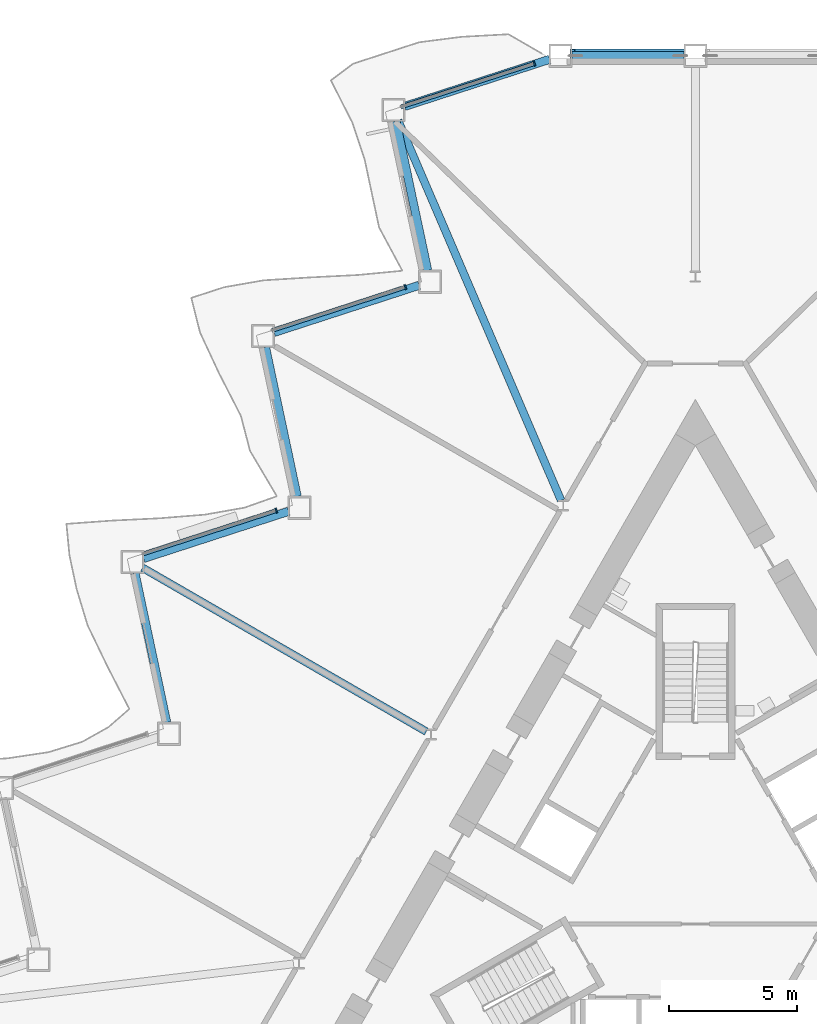
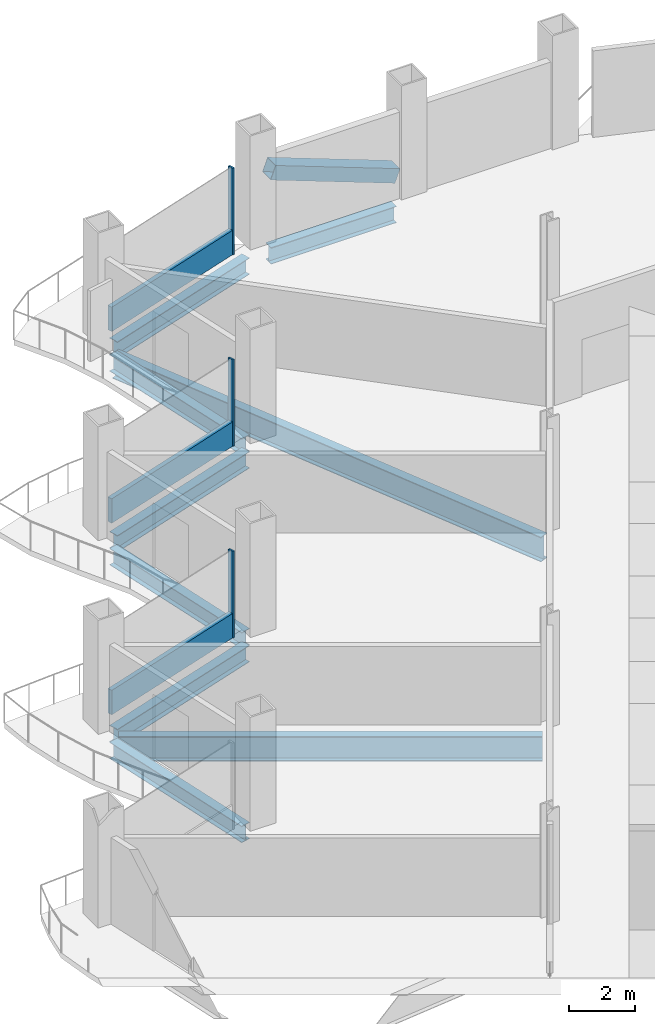
# One storey, part 7 of 21: 9 beams, 7 members, 3 elements without a shape of their own.
"""IFC4 building model written with IfcOpenShell, lengths in metres."""

from ifc_helpers import new_model, si_unit, direction, frame, origin, origin_2d, place, context, subcontext, project, spatial, rectangle, hollow_rectangle, i_section, extrude, material, layer, layer_set, material_profile, profile_set, type_object, element, aggregate, save


model = new_model("IFC4")

# Units and contexts
model_context = context("Model", 3, precision=1e-05, world=origin(), true_north=direction((0.0, 1.0)))
body_context = subcontext(model_context, "Body", "Model", "MODEL_VIEW")
ifc_project = project(units=[si_unit("LENGTHUNIT", "METRE"), si_unit("AREAUNIT", "SQUARE_METRE"), si_unit("VOLUMEUNIT", "CUBIC_METRE"), si_unit("PLANEANGLEUNIT", "RADIAN"), si_unit("MASSUNIT", "GRAM", prefix="KILO")], contexts=[model_context])

# Site, building, storey
site_placement = place(None, origin())
site = spatial("IfcSite", under=ifc_project, at=site_placement, CompositionType="ELEMENT")
building_placement = place(site_placement, origin())
building = spatial("IfcBuilding", under=site, at=building_placement, Name="Cormorant Prow Tower", CompositionType="ELEMENT")
storey_placement = place(building_placement, frame((0.0, 0.0, 124.800048828125)))
storey = spatial("IfcBuildingStorey", under=building, at=storey_placement, Name="L26", CompositionType="ELEMENT", Elevation=124.800048828125)

# Member
ifc_material_1 = material(Name="Structural steel ASTM A500 Gr C", Category="steel")
ifc_material_profile_1 = material_profile(ifc_material_1, hollow_rectangle(XDim=0.508056640625, YDim=0.508056640625, WallThickness=0.014892578125, at=origin_2d()), Name="HSS20x20x5/8")
ifc_profile_set_1 = profile_set([ifc_material_profile_1], Name="Structural steel ASTM A500 Gr C")
member_type_1 = type_object("IfcMemberType", Name="Chamfer brace HSS20x20x5/8", PredefinedType="BRACE", material=ifc_profile_set_1)
member_1_placement = place(storey_placement, frame((-0.4677734375, 32.487060546875, 0.776611328125), z_axis=(-0.935582009332, 0.0, 0.353109478511), x_axis=(0.0, -1.0, 0.0)))
element("IfcMember", 1, at=member_1_placement, inside=storey, type_object=member_type_1, Name="Chamfer brace BR1 at N01 L26", PredefinedType="BRACE", context=body_context, shape_type="SweptSolid", body=[
    extrude(hollow_rectangle(XDim=0.508056640625, YDim=0.508056640625, WallThickness=0.014892578125, at=origin_2d()), origin(), (0.0, 0.0, 1.0), 4.63232421875),
])

# Curtain wall, member
ifc_material_2 = material(Name="Aluminium 6063-T6", Category="aluminium")
ifc_layer = layer(ifc_material_2, 0.199951171875)
ifc_layer_set = layer_set([ifc_layer], Name="Aluminium 6063-T6")
curtain_wall_type = type_object("IfcCurtainWallType", Name="Office unitised curtain wall 200", PredefinedType="NOTDEFINED", material=ifc_layer_set)
curtain_wall_1_placement = place(storey_placement, origin())
curtain_wall_1 = element("IfcCurtainWall", 2, at=curtain_wall_1_placement, inside=storey, type_object=curtain_wall_type, Name="Office curtain wall WNW00", PredefinedType="NOTDEFINED")
ifc_material_3 = material(Name="Aluminium 6063-T6", Category="aluminium")
ifc_material_profile_2 = material_profile(ifc_material_3, rectangle(XDim=0.199951171875, YDim=0.06005859375, at=origin_2d()), Name="Office mullion 60x200")
ifc_profile_set_2 = profile_set([ifc_material_profile_2], Name="Aluminium 6063-T6")
member_type_2 = type_object("IfcMemberType", Name="Office mullion 60x200", PredefinedType="MULLION", material=ifc_profile_set_2)
member_2_placement = place(storey_placement, frame((-6.29443359375, 32.1806640625, 0.0), z_axis=(0.0, 0.0, 1.0), x_axis=(0.309016896042, -0.951056548245, 0.0)))
member_2 = element("IfcMember", 3, at=member_2_placement, type_object=member_type_2, Name="Office mullion WNW00", PredefinedType="MULLION", context=body_context, shape_type="SweptSolid", body=[
    extrude(rectangle(XDim=0.199951171875, YDim=0.06005859375, at=origin_2d()), origin(), (0.0, 0.0, 1.0), 3.18896484375),
])

curtain_wall_2_placement = place(storey_placement, origin())
curtain_wall_2 = element("IfcCurtainWall", 4, at=curtain_wall_2_placement, inside=storey, type_object=curtain_wall_type, Name="Office curtain wall WNW02", PredefinedType="NOTDEFINED")
member_3_placement = place(storey_placement, frame((-11.337890625, 23.4453125, 0.0), z_axis=(0.0, 0.0, 1.0), x_axis=(0.309016939332, -0.95105653418, 0.0)))
member_3 = element("IfcMember", 5, at=member_3_placement, type_object=member_type_2, Name="Office mullion WNW02", PredefinedType="MULLION", context=body_context, shape_type="SweptSolid", body=[
    extrude(rectangle(XDim=0.199951171875, YDim=0.06005859375, at=origin_2d()), origin(), (0.0, 0.0, 1.0), 3.18896484375),
])

curtain_wall_3_placement = place(storey_placement, origin())
curtain_wall_3 = element("IfcCurtainWall", 6, at=curtain_wall_3_placement, inside=storey, type_object=curtain_wall_type, Name="Office curtain wall WNW04", PredefinedType="NOTDEFINED")
member_4_placement = place(storey_placement, frame((-16.38134765625, 14.7099609375, 0.0), z_axis=(0.0, 0.0, 1.0), x_axis=(0.309016939332, -0.95105653418, 0.0)))
member_4 = element("IfcMember", 7, at=member_4_placement, type_object=member_type_2, Name="Office mullion WNW04", PredefinedType="MULLION", context=body_context, shape_type="SweptSolid", body=[
    extrude(rectangle(XDim=0.199951171875, YDim=0.06005859375, at=origin_2d()), origin(), (0.0, 0.0, 1.0), 3.18896484375),
])

# Member
ifc_material_4 = material(Name="Terracotta", Category="masonry")
ifc_material_profile_3 = material_profile(ifc_material_4, rectangle(XDim=0.159912109375, YDim=0.89990234375, at=origin_2d()), Name="Office terracotta spandrel rail 160x900")
ifc_profile_set_3 = profile_set([ifc_material_profile_3], Name="Terracotta")
member_type_3 = type_object("IfcMemberType", Name="Office terracotta spandrel rail 160x900", PredefinedType="USERDEFINED", material=ifc_profile_set_3)
member_5_placement = place(storey_placement, frame((-6.322998046875, 32.17138671875, 0.449951171875), z_axis=(-0.951059392051, -0.30900814357, 0.0), x_axis=(0.30900814357, -0.951059392051, 0.0)))
member_5 = element("IfcMember", 8, at=member_5_placement, type_object=member_type_3, Name="Office spandrel rail WNW00", ObjectType="TRANSOM", PredefinedType="USERDEFINED", context=body_context, shape_type="SweptSolid", body=[
    extrude(rectangle(XDim=0.159912109375, YDim=0.89990234375, at=origin_2d()), origin(), (0.0, 0.0, 1.0), 5.45458984375),
])

aggregate(curtain_wall_1, [member_2, member_5])

member_6_placement = place(storey_placement, frame((-11.366455078125, 23.43603515625, 0.449951171875), z_axis=(-0.951055118029, -0.309021297763, 0.0), x_axis=(0.309021297763, -0.951055118029, 0.0)))
member_6 = element("IfcMember", 9, at=member_6_placement, type_object=member_type_3, Name="Office spandrel rail WNW02", ObjectType="TRANSOM", PredefinedType="USERDEFINED", context=body_context, shape_type="SweptSolid", body=[
    extrude(rectangle(XDim=0.159912109375, YDim=0.89990234375, at=origin_2d()), origin(), (0.0, 0.0, 1.0), 5.45458984375),
])

aggregate(curtain_wall_2, [member_3, member_6])

member_7_placement = place(storey_placement, frame((-16.409912109375, 14.70068359375, 0.449951171875), z_axis=(-0.951055118029, -0.309021297763, 0.0), x_axis=(0.309021297763, -0.951055118029, 0.0)))
member_7 = element("IfcMember", 10, at=member_7_placement, type_object=member_type_3, Name="Office spandrel rail WNW04", ObjectType="TRANSOM", PredefinedType="USERDEFINED", context=body_context, shape_type="SweptSolid", body=[
    extrude(rectangle(XDim=0.159912109375, YDim=0.89990234375, at=origin_2d()), origin(), (0.0, 0.0, 1.0), 5.45458984375),
])

aggregate(curtain_wall_3, [member_4, member_7])

# Beams
ifc_material_5 = material(Name="Structural steel ASTM A992 Gr 50", Category="steel")
ifc_material_profile_4 = material_profile(ifc_material_5, i_section(OverallWidth=0.3046875, OverallDepth=0.914794921875, WebThickness=0.0166015625, FlangeThickness=0.02587890625, at=origin_2d()), Name="W36x160")
ifc_profile_set_4 = profile_set([ifc_material_profile_4], Name="Structural steel ASTM A992 Gr 50")
beam_type_1 = type_object("IfcBeamType", Name="Radial floor beam W36x160", PredefinedType="BEAM", material=ifc_profile_set_4)
beam_1_placement = place(storey_placement, frame((-5.25, 15.107666015625, -0.857421875), z_axis=(-0.394273140268, 0.918993302948, 0.0), x_axis=(-0.918993302948, -0.394273140268, 0.0)))
element("IfcBeam", 11, at=beam_1_placement, inside=storey, type_object=beam_type_1, Name="Radial floor beam FB1 2 L26", PredefinedType="BEAM", context=body_context, shape_type="SweptSolid", body=[
    extrude(i_section(OverallWidth=0.3046875, OverallDepth=0.914794921875, WebThickness=0.0166015625, FlangeThickness=0.02587890625, at=origin_2d()), origin(), (0.0, 0.0, 1.0), 16.153564453125),
])
beam_2_placement = place(storey_placement, frame((-10.516845703125, 6.07177734375, -0.857421875), z_axis=(-0.866021760006, 0.500006311156, 0.0), x_axis=(-0.500006311156, -0.866021760006, 0.0)))
element("IfcBeam", 12, at=beam_2_placement, inside=storey, type_object=beam_type_1, Name="Radial floor beam FB1 3 L26", PredefinedType="BEAM", context=body_context, shape_type="SweptSolid", body=[
    extrude(i_section(OverallWidth=0.3046875, OverallDepth=0.914794921875, WebThickness=0.0166015625, FlangeThickness=0.02587890625, at=origin_2d()), origin(), (0.0, 0.0, 1.0), 12.805419921875),
])
ifc_material_6 = material(Name="Structural steel ASTM A992 Gr 50", Category="steel")
ifc_material_profile_5 = material_profile(ifc_material_6, i_section(OverallWidth=0.32373046875, OverallDepth=0.611083984375, WebThickness=0.0126953125, FlangeThickness=0.01904296875, at=origin_2d()), Name="W24x104")
ifc_profile_set_5 = profile_set([ifc_material_profile_5], Name="Structural steel ASTM A992 Gr 50")
beam_type_2 = type_object("IfcBeamType", Name="Spandrel beam W24x104", PredefinedType="SPANDREL", material=ifc_profile_set_5)
beam_3_placement = place(storey_placement, frame((-0.449951171875, 32.487060546875, -0.70556640625), z_axis=(-1.0, 0.0, 0.0), x_axis=(0.0, -1.0, 0.0)))
element("IfcBeam", 13, at=beam_3_placement, inside=storey, type_object=beam_type_2, Name="Spandrel beam SB1 N01-WNW00 L26", PredefinedType="SPANDREL", context=body_context, shape_type="SweptSolid", body=[
    extrude(i_section(OverallWidth=0.32373046875, OverallDepth=0.611083984375, WebThickness=0.0126953125, FlangeThickness=0.01904296875, at=origin_2d()), origin(), (0.0, 0.0, 1.0), 4.36962890625),
])
beam_4_placement = place(storey_placement, frame((-5.69775390625, 32.347900390625, -0.70556640625), z_axis=(-0.951055430656, -0.309020335608, 0.0), x_axis=(0.309020335608, -0.951055430656, 0.0)))
element("IfcBeam", 14, at=beam_4_placement, inside=storey, type_object=beam_type_2, Name="Spandrel beam SB1 WNW00-WNW01 L26", PredefinedType="SPANDREL", context=body_context, shape_type="SweptSolid", body=[
    extrude(i_section(OverallWidth=0.32373046875, OverallDepth=0.611083984375, WebThickness=0.0126953125, FlangeThickness=0.01904296875, at=origin_2d()), origin(), (0.0, 0.0, 1.0), 5.96240234375),
])
beam_5_placement = place(storey_placement, frame((-11.702880859375, 29.926025390625, -0.70556640625), z_axis=(0.207920947907, -0.978145633033, 0.0), x_axis=(0.978145633033, 0.207920947907, 0.0)))
element("IfcBeam", 15, at=beam_5_placement, inside=storey, type_object=beam_type_2, Name="Spandrel beam SB1 WNW01-WNW02 L26", PredefinedType="SPANDREL", context=body_context, shape_type="SweptSolid", body=[
    extrude(i_section(OverallWidth=0.32373046875, OverallDepth=0.611083984375, WebThickness=0.0126953125, FlangeThickness=0.01904296875, at=origin_2d()), origin(), (0.0, 0.0, 1.0), 5.962646484375),
])
beam_6_placement = place(storey_placement, frame((-10.797607421875, 23.5146484375, -0.70556640625), z_axis=(-0.95104730696, -0.309045336358, 0.0), x_axis=(0.309045336358, -0.95104730696, 0.0)))
element("IfcBeam", 16, at=beam_6_placement, inside=storey, type_object=beam_type_2, Name="Spandrel beam SB1 WNW02-WNW03 L26", PredefinedType="SPANDREL", context=body_context, shape_type="SweptSolid", body=[
    extrude(i_section(OverallWidth=0.32373046875, OverallDepth=0.611083984375, WebThickness=0.0126953125, FlangeThickness=0.01904296875, at=origin_2d()), origin(), (0.0, 0.0, 1.0), 5.962890625),
])
for number, where, z_axis, x_axis, name in (
    (17, (-16.802734375, 21.0927734375, -0.70556640625), (0.207920947907, -0.978145633033, 0.0), (0.978145633033, 0.207920947907, 0.0), "Spandrel beam SB1 WNW03-WNW04 L26"),
    (18, (-15.8974609375, 14.68115234375, -0.70556640625), (-0.951059340519, -0.309008302174, 0.0), (0.309008302174, -0.951059340519, 0.0), "Spandrel beam SB1 WNW04-WNW05 L26"),
):
    element("IfcBeam", number, at=place(storey_placement, frame(where, z_axis=z_axis, x_axis=x_axis)), inside=storey, type_object=beam_type_2, Name=name, PredefinedType="SPANDREL", context=body_context, shape_type="SweptSolid", body=[
        extrude(i_section(OverallWidth=0.32373046875, OverallDepth=0.611083984375, WebThickness=0.0126953125, FlangeThickness=0.01904296875, at=origin_2d()), origin(), (0.0, 0.0, 1.0), 5.962646484375),
    ])
beam_7_placement = place(storey_placement, frame((-21.90283203125, 12.259521484375, -0.70556640625), z_axis=(0.207912620873, -0.978147403044, 0.0), x_axis=(0.978147403044, 0.207912620873, 0.0)))
element("IfcBeam", 19, at=beam_7_placement, inside=storey, type_object=beam_type_2, Name="Spandrel beam SB1 WNW05-WNW06 L26", PredefinedType="SPANDREL", context=body_context, shape_type="SweptSolid", body=[
    extrude(i_section(OverallWidth=0.32373046875, OverallDepth=0.611083984375, WebThickness=0.0126953125, FlangeThickness=0.01904296875, at=origin_2d()), origin(), (0.0, 0.0, 1.0), 5.962890625),
])

save(model, "model.ifc")
